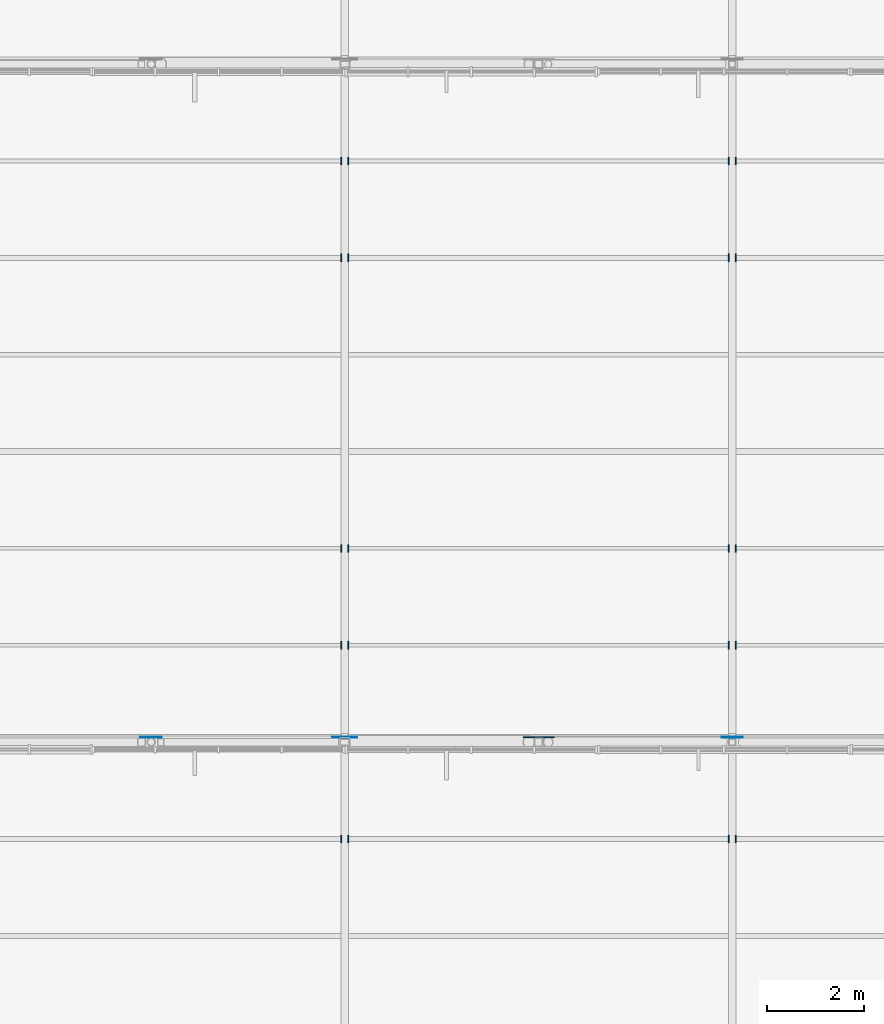
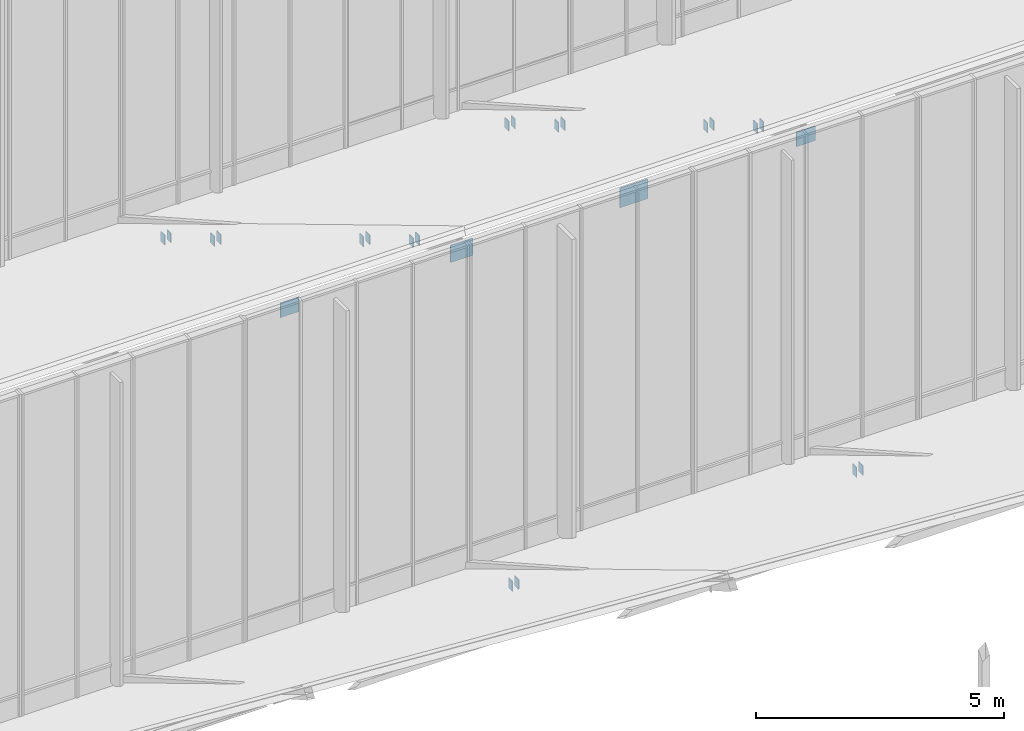
# One storey, part 100 of 155: 24 plates.
"""IFC4 building model written with IfcOpenShell, lengths in metres."""

import ifcopenshell
import ifcopenshell.guid

model = None  # the IFC model being written
_history = None  # IfcOwnerHistory: only IFC2X3 demands one
_inside = {}  # id of a spatial element -> (the spatial element, [elements in it])
_under = {}  # id of a project, library or spatial element -> (it, [spatial elements below it])
_declared = {}  # id of a project -> (the project, [libraries it declares])
_typed = {}  # id of a type object -> (the type object, [elements of that type])
_made_of = {}  # id of a material, layer set ... -> (it, [elements and type objects made of it])


def new_model(schema):
    """Start an empty IFC model of exactly this schema.

    Asked for "IFC4X3", IfcOpenShell would pick the latest addendum, in which some entities
    have other attributes; the version numbers below select the first issue.
    IFC2X3 requires an IfcOwnerHistory on every rooted entity: one is made here for all.
    """
    global model, _history
    if schema == "IFC4X3":
        model = ifcopenshell.file(schema_version=(4, 3, 0, 0))
    else:
        model = ifcopenshell.file(schema=schema)
    _inside.clear()
    _under.clear()
    _declared.clear()
    _typed.clear()
    _made_of.clear()
    _history = None
    if model.schema == "IFC2X3":
        org = make("IfcOrganization", Name="unknown")
        user = make(
            "IfcPersonAndOrganization",
            ThePerson=make("IfcPerson", FamilyName="unknown"),
            TheOrganization=org,
        )
        app = make(
            "IfcApplication",
            ApplicationDeveloper=org,
            Version="unknown",
            ApplicationFullName="unknown",
            ApplicationIdentifier="unknown",
        )
        _history = make(
            "IfcOwnerHistory",
            OwningUser=user,
            OwningApplication=app,
            ChangeAction="ADDED",
            CreationDate=0,
        )
    return model


def make(cls, **values):
    """One entity of the class cls with the attributes given. An attribute that is None is left unset."""
    return model.create_entity(
        cls, **{name: value for name, value in values.items() if value is not None}
    )


def rooted(cls, **values):
    """An entity with a GlobalId (a new one), such as an element, a storey or a relation."""
    return make(cls, GlobalId=ifcopenshell.guid.new(), OwnerHistory=_history, **values)


def si_unit(unit_type, name, prefix=None):
    """IfcSIUnit, for example si_unit("LENGTHUNIT", "METRE", prefix="MILLI")."""
    return make("IfcSIUnit", UnitType=unit_type, Prefix=prefix, Name=name)


def assignment(units):
    """IfcUnitAssignment: the units of a project."""
    return None if units is None else make("IfcUnitAssignment", Units=units)


def point(xyz):
    """IfcCartesianPoint."""
    return None if xyz is None else make("IfcCartesianPoint", Coordinates=xyz)


def direction(xyz):
    """IfcDirection."""
    return None if xyz is None else make("IfcDirection", DirectionRatios=xyz)


def frame(location, z_axis=None, x_axis=None):
    """IfcAxis2Placement3D, a coordinate frame: its origin and axes. An axis left out is left unset."""
    return make(
        "IfcAxis2Placement3D",
        Location=point(location),
        Axis=direction(z_axis),
        RefDirection=direction(x_axis),
    )


def frame_2d(location, x_axis=None):
    """IfcAxis2Placement2D, a coordinate frame in the plane: its origin and x axis."""
    return make(
        "IfcAxis2Placement2D", Location=point(location), RefDirection=direction(x_axis)
    )


def origin():
    """The frame at (0, 0, 0) with its axes left unset."""
    return frame((0.0, 0.0, 0.0))


def origin_2d():
    """The frame at (0, 0) in the plane with its x axis left unset."""
    return frame_2d((0.0, 0.0))


def place(relative_to, where):
    """IfcLocalPlacement: puts the frame where relative to a parent placement (None: the world)."""
    return make(
        "IfcLocalPlacement", PlacementRelTo=relative_to, RelativePlacement=where
    )


def context(
    kind, dimensions, precision=None, world=None, true_north=None, identifier=None
):
    """IfcGeometricRepresentationContext, for example the 3D "Model" context."""
    return make(
        "IfcGeometricRepresentationContext",
        ContextIdentifier=identifier,
        ContextType=kind,
        CoordinateSpaceDimension=dimensions,
        Precision=precision,
        WorldCoordinateSystem=world,
        TrueNorth=true_north,
    )


def subcontext(parent, identifier, kind, view, scale=None):
    """IfcGeometricRepresentationSubContext, for example "Body" below "Model"."""
    return make(
        "IfcGeometricRepresentationSubContext",
        ContextIdentifier=identifier,
        ContextType=kind,
        ParentContext=parent,
        TargetScale=scale,
        TargetView=view,
    )


def project(units=None, contexts=None):
    """IfcProject with its units and contexts."""
    return rooted(
        "IfcProject",
        Name="project",
        RepresentationContexts=contexts,
        UnitsInContext=assignment(units),
    )


def spatial(cls, under=None, at=None, **own):
    """A site, building, storey or space (cls), placed at a placement, below another one or the project."""
    s = rooted(cls, ObjectPlacement=at, **own)
    if under is not None:
        _under.setdefault(under.id(), (under, []))[1].append(s)
    return s


def profile(cls, at=None, kind="AREA", **sizes):
    """A parametric profile (cls). Its sizes go by their IFC names, for example OverallWidth=200.0."""
    return make(cls, ProfileType=kind, Position=at, **sizes)


def rectangle(**sizes):
    """IfcRectangleProfileDef."""
    return profile("IfcRectangleProfileDef", **sizes)


def extrude(swept, where, along, depth):
    """IfcExtrudedAreaSolid: the profile swept, set in the frame where, extruded along a direction by depth."""
    return make(
        "IfcExtrudedAreaSolid",
        SweptArea=swept,
        Position=where,
        ExtrudedDirection=direction(along),
        Depth=depth,
    )


def shape(context_of_items, identifier, shape_type, items):
    """IfcShapeRepresentation: the items that make up one representation, for example the "Body"."""
    return make(
        "IfcShapeRepresentation",
        ContextOfItems=context_of_items,
        RepresentationIdentifier=identifier,
        RepresentationType=shape_type,
        Items=items,
    )


def material(Name=None, Category=None):
    """IfcMaterial."""
    return make("IfcMaterial", Name=Name, Category=Category)


def layer(
    of_material, thickness, ventilated=None, Name=None, Category=None, Priority=None
):
    """IfcMaterialLayer: one layer of a wall or slab, of a material (None: an air gap)."""
    return make(
        "IfcMaterialLayer",
        Material=of_material,
        LayerThickness=thickness,
        IsVentilated=ventilated,
        Name=Name,
        Category=Category,
        Priority=Priority,
    )


def layer_set(layers, Name=None):
    """IfcMaterialLayerSet."""
    return make("IfcMaterialLayerSet", MaterialLayers=layers, LayerSetName=Name)


def made_of(thing, what):
    """Note that an element or type object is made of a material, layer set ...; save() writes the relation."""
    if what is not None:
        _made_of.setdefault(what.id(), (what, []))[1].append(thing)
    return thing


def type_object(cls, material=None, **own):
    """A type object (cls), such as IfcWallType, which elements share."""
    return made_of(rooted(cls, **own), material)


def element(
    cls,
    number,
    at=None,
    inside=None,
    cuts=None,
    type_object=None,
    material=None,
    context=None,
    identifier="Body",
    shape_type=None,
    held_by="IfcProductDefinitionShape",
    body=None,
    shapes=None,
    **own,
):
    """One element of the class cls, such as IfcWall. Its Tag is "e" and its number.

    at: its placement. inside: the storey or other place that contains it. cuts: it is an
    opening in that element (IfcRelVoidsElement). A single representation is given by context,
    identifier, shape_type and body (its items); several are given by shapes. held_by: the class
    of the entity that holds the representations. save() writes the other relations.
    """
    e = rooted(cls, Tag="e%d" % number, ObjectPlacement=at, **own)
    if body is not None:
        shapes = [shape(context, identifier, shape_type, body)]
    if shapes is not None:
        e.Representation = make(held_by, Representations=shapes)
    if inside is not None:
        _inside.setdefault(inside.id(), (inside, []))[1].append(e)
    if cuts is not None:
        rooted(
            "IfcRelVoidsElement", RelatingBuildingElement=cuts, RelatedOpeningElement=e
        )
    if type_object is not None:
        _typed.setdefault(type_object.id(), (type_object, []))[1].append(e)
    return made_of(e, material)


def aggregate(whole, parts):
    """IfcRelAggregates: a whole, such as a stair, and the parts it consists of."""
    return rooted("IfcRelAggregates", RelatingObject=whole, RelatedObjects=parts)


def save(model, path):
    """Write the relations noted so far, then the file.

    IfcRelAggregates (storeys below a building ...), IfcRelContainedInSpatialStructure (elements
    in a storey), IfcRelDefinesByType, IfcRelAssociatesMaterial and IfcRelDeclares: one each for
    every whole, place, type object, material and project.
    """
    for whole, parts in _under.values():
        aggregate(whole, parts)
    for where, things in _inside.values():
        rooted(
            "IfcRelContainedInSpatialStructure",
            RelatedElements=things,
            RelatingStructure=where,
        )
    for kind, things in _typed.values():
        rooted("IfcRelDefinesByType", RelatedObjects=things, RelatingType=kind)
    for what, things in _made_of.values():
        rooted("IfcRelAssociatesMaterial", RelatedObjects=things, RelatingMaterial=what)
    for by, libraries in _declared.values():
        rooted("IfcRelDeclares", RelatingContext=by, RelatedDefinitions=libraries)
    model.write(path)


model = new_model("IFC4")

# Units and contexts
model_context = context("Model", 3, precision=1e-05, world=origin(), true_north=direction((0.0, 1.0)))
body_context = subcontext(model_context, "Body", "Model", "MODEL_VIEW")
ifc_project = project(units=[si_unit("LENGTHUNIT", "METRE"), si_unit("AREAUNIT", "SQUARE_METRE"), si_unit("VOLUMEUNIT", "CUBIC_METRE"), si_unit("PLANEANGLEUNIT", "RADIAN"), si_unit("MASSUNIT", "GRAM", prefix="KILO")], contexts=[model_context])

# Site, building, storey
site_placement = place(None, origin())
site = spatial("IfcSite", under=ifc_project, at=site_placement, CompositionType="ELEMENT")
building_placement = place(site_placement, origin())
building = spatial("IfcBuilding", under=site, at=building_placement, Name="Larkveld Mobility Hub", CompositionType="ELEMENT")
storey_placement = place(building_placement, frame((0.0, 0.0, 8.39990234375)))
storey = spatial("IfcBuildingStorey", under=building, at=storey_placement, Name="L02", CompositionType="ELEMENT", Elevation=8.39990234375)

# Plates
ifc_material = material(Name="Steel S355JR", Category="steel")
ifc_layer_1 = layer(ifc_material, 0.02001953125, Name="Steel S355JR", Category="steel")
ifc_layer_set_1 = layer_set([ifc_layer_1], Name="Steel S355JR")
plate_type_1 = type_object("IfcPlateType", Name="PT-EC02", PredefinedType="USERDEFINED", material=ifc_layer_set_1)
for number, where, z_axis, x_axis, name in (
    (1, (167.927978515625, 96.0, 0.787109375), (0.0, 0.0, 1.0), (1.0, 0.0, 0.0), "Hollow Purlin End Cap Plate PEC-203"),
    (2, (168.072021484375, 96.0, 0.787109375), (0.0, 0.0, 1.0), (1.0, 0.0, 0.0), "Hollow Purlin End Cap Plate PEC-204"),
    (3, (175.927978515625, 96.0, 0.787109375), (0.0, 0.0, 1.0), (1.0, 0.0, 0.0), "Hollow Purlin End Cap Plate PEC-205"),
    (4, (176.072021484375, 96.0, 0.787109375), (0.0, 0.0, 1.0), (1.0, 0.0, 0.0), "Hollow Purlin End Cap Plate PEC-206"),
    (5, (167.927978515625, 100.0, 6.80712890625), (0.0, 0.0, 1.0), (1.0, 0.0, 0.0), "Hollow Purlin End Cap Plate PEC-211"),
    (6, (168.072021484375, 100.0, 6.80712890625), (0.0, 0.0, 1.0), (1.0, 0.0, 0.0), "Hollow Purlin End Cap Plate PEC-212"),
    (7, (175.927978515625, 100.0, 6.80712890625), (0.0, 0.0, 1.0), (1.0, 0.0, 0.0), "Hollow Purlin End Cap Plate PEC-213"),
    (8, (176.072021484375, 100.0, 6.80712890625), (0.0, 0.0, 1.0), (1.0, 0.0, 0.0), "Hollow Purlin End Cap Plate PEC-214"),
    (9, (167.927978515625, 102.0, 5.6171875), (0.0, 0.0, 1.0), (1.0, 0.0, 0.0), "Hollow Purlin End Cap Plate PEC-219"),
    (10, (168.072021484375, 102.0, 5.6171875), (0.0, 0.0, 1.0), (1.0, 0.0, 0.0), "Hollow Purlin End Cap Plate PEC-220"),
    (11, (175.927978515625, 102.0, 5.6171875), (0.0, 0.0, 1.0), (1.0, 0.0, 0.0), "Hollow Purlin End Cap Plate PEC-221"),
    (12, (176.072021484375, 102.0, 5.6171875), (0.0, 0.0, 1.0), (1.0, 0.0, 0.0), "Hollow Purlin End Cap Plate PEC-222"),
    (13, (167.927978515625, 108.0, 1.9873046875), (0.0, 0.0, 1.0), (1.0, 0.0, 0.0), "Hollow Purlin End Cap Plate PEC-227"),
    (14, (168.072021484375, 108.0, 1.9873046875), (0.0, 0.0, 1.0), (1.0, 0.0, 0.0), "Hollow Purlin End Cap Plate PEC-228"),
    (15, (175.927978515625, 108.0, 1.9873046875), (0.0, 0.0, 1.0), (1.0, 0.0, 0.0), "Hollow Purlin End Cap Plate PEC-229"),
    (16, (176.072021484375, 108.0, 1.9873046875), (0.0, 0.0, 1.0), (1.0, 0.0, 0.0), "Hollow Purlin End Cap Plate PEC-230"),
    (17, (167.927978515625, 110.0, 0.80712890625), (0.0, 0.0, 1.0), (1.0, 0.0, 0.0), "Hollow Purlin End Cap Plate PEC-235"),
    (18, (168.072021484375, 110.0, 0.80712890625), (0.0, 0.0, 1.0), (1.0, 0.0, 0.0), "Hollow Purlin End Cap Plate PEC-236"),
    (19, (175.927978515625, 110.0, 0.80712890625), (0.0, 0.0, 1.0), (1.0, 0.0, 0.0), "Hollow Purlin End Cap Plate PEC-237"),
    (20, (176.072021484375, 110.0, 0.80712890625), (0.0, 0.0, 1.0), (1.0, 0.0, 0.0), "Hollow Purlin End Cap Plate PEC-238"),
):
    element("IfcPlate", number, at=place(storey_placement, frame(where, z_axis=z_axis, x_axis=x_axis)), inside=storey, type_object=plate_type_1, Name=name, ObjectType="GUSSET PLATE", PredefinedType="USERDEFINED", context=body_context, shape_type="SweptSolid", body=[
        extrude(rectangle(XDim=0.02001953125, YDim=0.159912109375, at=origin_2d()), origin(), (0.0, 0.0, 1.0), 0.239990234375),
    ])
ifc_layer_2 = layer(ifc_material, 0.02001953125, Name="Steel S355JR", Category="steel")
ifc_layer_set_2 = layer_set([ifc_layer_2], Name="Steel S355JR")
plate_type_2 = type_object("IfcPlateType", Name="PT-GS01", PredefinedType="USERDEFINED", material=ifc_layer_set_2)
plate_1_placement = place(storey_placement, frame((168.0, 98.10009765625, 7.615234375), z_axis=(0.0, 0.0, 1.0), x_axis=(1.0, 0.0, 0.0)))
element("IfcPlate", 21, at=plate_1_placement, inside=storey, type_object=plate_type_2, Name="Truss Node Gusset Plate TN-049", ObjectType="GUSSET PLATE", PredefinedType="USERDEFINED", context=body_context, shape_type="SweptSolid", body=[
    extrude(rectangle(XDim=0.52001953125, YDim=0.02001953125, at=origin_2d()), origin(), (0.0, 0.0, 1.0), 0.419921875),
])
ifc_layer_3 = layer(ifc_material, 0.02392578125, Name="Steel S355JR", Category="steel")
ifc_layer_set_3 = layer_set([ifc_layer_3], Name="Steel S355JR")
plate_type_3 = type_object("IfcPlateType", Name="PT-GS02", PredefinedType="USERDEFINED", material=ifc_layer_set_3)
plate_2_placement = place(storey_placement, frame((172.0, 98.10009765625, 7.585205078125), z_axis=(0.0, 0.0, 1.0), x_axis=(1.0, 0.0, 0.0)))
element("IfcPlate", 22, at=plate_2_placement, inside=storey, type_object=plate_type_3, Name="Truss Node Gusset Plate TN-050", ObjectType="GUSSET PLATE", PredefinedType="USERDEFINED", context=body_context, shape_type="SweptSolid", body=[
    extrude(rectangle(XDim=0.639892578125, YDim=0.02392578125, at=origin_2d()), origin(), (0.0, 0.0, 1.0), 0.47998046875),
])
ifc_layer_4 = layer(ifc_material, 0.01806640625, Name="Steel S355JR", Category="steel")
ifc_layer_set_4 = layer_set([ifc_layer_4], Name="Steel S355JR")
plate_type_4 = type_object("IfcPlateType", Name="PT-GS03", PredefinedType="USERDEFINED", material=ifc_layer_set_4)
for number, where, z_axis, x_axis, name in (
    (23, (164.0, 98.10009765625, 7.64501953125), (0.0, 0.0, 1.0), (1.0, 0.0, 0.0), "Truss Node Gusset Plate TN-048"),
    (24, (176.0, 98.10009765625, 7.64501953125), (0.0, 0.0, 1.0), (1.0, 0.0, 0.0), "Truss Node Gusset Plate TN-051"),
):
    element("IfcPlate", number, at=place(storey_placement, frame(where, z_axis=z_axis, x_axis=x_axis)), inside=storey, type_object=plate_type_4, Name=name, ObjectType="GUSSET PLATE", PredefinedType="USERDEFINED", context=body_context, shape_type="SweptSolid", body=[
        extrude(rectangle(XDim=0.43994140625, YDim=0.01806640625, at=origin_2d()), origin(), (0.0, 0.0, 1.0), 0.360107421875),
    ])

save(model, "model.ifc")
